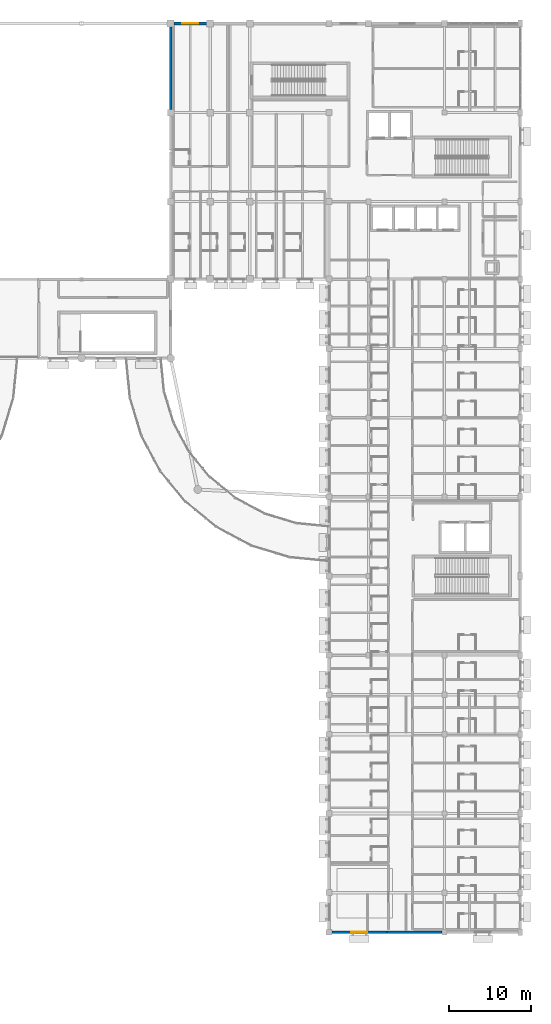
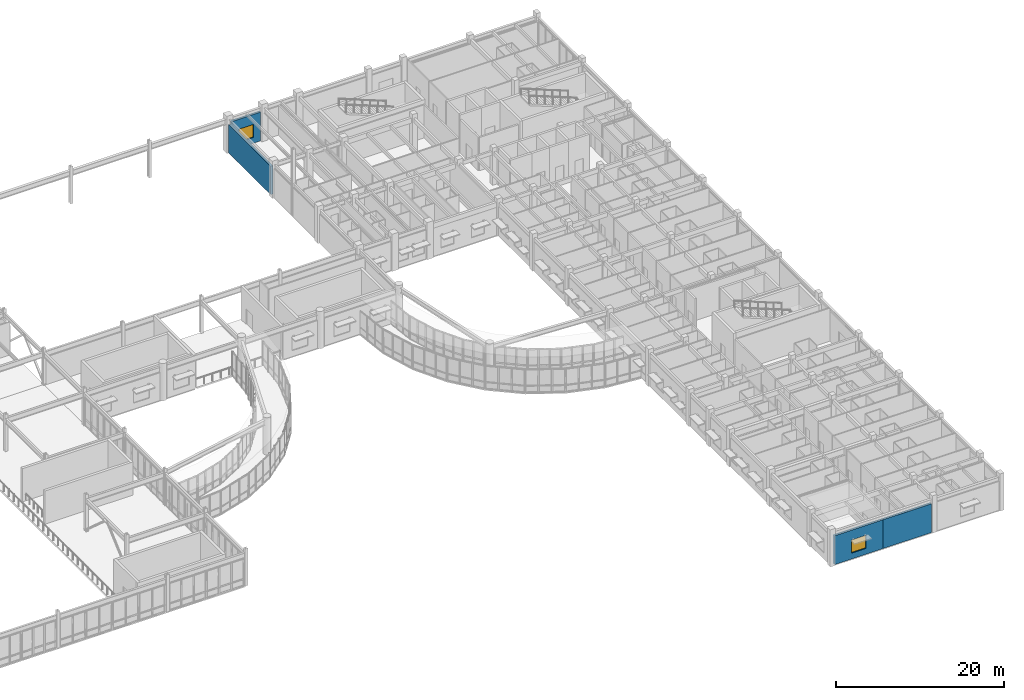
# One storey, part 46 of 68: 4 walls, 2 windows, 2 openings.
"""IFC4 building model written with IfcOpenShell, lengths in metres."""

from ifc_helpers import new_model, si_unit, direction, frame, frame_2d, origin, place, context, subcontext, project, spatial, rectangle, extrude, material, layer, layer_set, type_object, element, fill, save


model = new_model("IFC4")

# Units and contexts
model_context = context("Model", 3, precision=1e-05, world=origin(), true_north=direction((0.0, 1.0)))
body_context = subcontext(model_context, "Body", "Model", "MODEL_VIEW")
ifc_project = project(units=[si_unit("LENGTHUNIT", "METRE"), si_unit("AREAUNIT", "SQUARE_METRE"), si_unit("VOLUMEUNIT", "CUBIC_METRE"), si_unit("PLANEANGLEUNIT", "RADIAN"), si_unit("MASSUNIT", "GRAM", prefix="KILO")], contexts=[model_context])

# Site, building, storey
site_placement = place(None, origin())
site = spatial("IfcSite", under=ifc_project, at=site_placement, CompositionType="ELEMENT")
building_placement = place(site_placement, origin())
building = spatial("IfcBuilding", under=site, at=building_placement, Name="Veldera Park Congress Hotel", CompositionType="ELEMENT")
storey_placement = place(building_placement, frame((0.0, 0.0, 10.800048828125)))
storey = spatial("IfcBuildingStorey", under=building, at=storey_placement, Name="L02", CompositionType="ELEMENT", Elevation=10.800048828125)

# Wall, opening, window
ifc_material_1 = material(Name="Cross-laminated timber CLT V2M1.1", Category="wood")
ifc_layer = layer(ifc_material_1, 0.320068359375)
ifc_layer_set = layer_set([ifc_layer], Name="Cross-laminated timber CLT V2M1.1")
wall_type = type_object("IfcWallType", Name="EW-CLT320", PredefinedType="STANDARD", material=ifc_layer_set)
wall_1_placement = place(storey_placement, frame((61.14794921875, -52.199951171875, 0.0), z_axis=(0.0, 0.0, 1.0), x_axis=(1.0, 0.0, 0.0)))
wall_1 = element("IfcWall", 1, at=wall_1_placement, inside=storey, type_object=wall_type, Name="L02 Exterior Wall EW3-L02-0171", PredefinedType="STANDARD", context=body_context, shape_type="SweptSolid", body=[
    extrude(rectangle(XDim=6.66650390625, YDim=0.320068359375, at=frame_2d((3.333251953125, 0.0))), origin(), (0.0, 0.0, 1.0), 4.182861328125),
])
opening_1_placement = place(wall_1_placement, frame((2.358154296875, 0.0, 0.85009765625)))
opening_1 = element("IfcOpeningElement", 2, at=opening_1_placement, cuts=wall_1, Name="Opening WIN-1950", PredefinedType="OPENING", context=body_context, shape_type="SweptSolid", body=[
    extrude(rectangle(XDim=1.949951171875, YDim=1.89990234375, at=frame_2d((0.97509765625, 0.949951171875))), frame((0.0, 0.172119140625, 0.0), z_axis=(0.0, -1.0, 0.0), x_axis=(1.0, 0.0, 0.0)), (0.0, 0.0, 1.0), 0.343994140625),
])
ifc_material_2 = material(Name="Low-E Triple Insulating Glass Unit (SHGC 0.22)", Category="glass")
window_type = type_object("IfcWindowType", Name="WIN-1950", PartitioningType="DOUBLE_PANEL_VERTICAL", PredefinedType="WINDOW", material=ifc_material_2)
window_1_placement = place(opening_1_placement, origin())
window_1 = element("IfcWindow", 3, at=window_1_placement, inside=storey, type_object=window_type, Name="L02 Window WIN-1950 176", OverallHeight=1.89990234375, OverallWidth=1.949951171875, PartitioningType="DOUBLE_PANEL_VERTICAL", PredefinedType="WINDOW", context=body_context, shape_type="SweptSolid", body=[
    extrude(rectangle(XDim=1.949951171875, YDim=1.89990234375, at=frame_2d((0.97509765625, 0.949951171875))), frame((0.0, 0.030029296875, 0.0), z_axis=(0.0, -1.0, 0.0), x_axis=(1.0, 0.0, 0.0)), (0.0, 0.0, 1.0), 0.06005859375),
])
fill(opening_1, window_1)

# Wall
wall_2_placement = place(storey_placement, frame((67.810546875, -52.199951171875, 0.0), z_axis=(0.0, 0.0, 1.0), x_axis=(1.0, 0.0, 0.0)))
element("IfcWall", 4, at=wall_2_placement, inside=storey, type_object=wall_type, Name="L02 Exterior Wall EW3-L02-0172", PredefinedType="STANDARD", context=body_context, shape_type="SweptSolid", body=[
    extrude(rectangle(XDim=6.66650390625, YDim=0.320068359375, at=frame_2d((3.333251953125, 0.0))), origin(), (0.0, 0.0, 1.0), 4.182861328125),
])

# Wall, opening, window
wall_3_placement = place(storey_placement, frame((45.97705078125, 58.0, 0.0), z_axis=(0.0, 0.0, 1.0), x_axis=(-1.0, 0.0, 0.0)))
wall_3 = element("IfcWall", 5, at=wall_3_placement, inside=storey, type_object=wall_type, Name="L02 Exterior Wall EW3-L02-0190", PredefinedType="STANDARD", context=body_context, shape_type="SweptSolid", body=[
    extrude(rectangle(XDim=3.9541015625, YDim=0.320068359375, at=frame_2d((1.97705078125, 0.0))), origin(), (0.0, 0.0, 1.0), 4.182861328125),
])
opening_2_placement = place(wall_3_placement, frame((1.001953125, 0.0, 0.85009765625)))
opening_2 = element("IfcOpeningElement", 6, at=opening_2_placement, cuts=wall_3, Name="Opening WIN-1950", PredefinedType="OPENING", context=body_context, shape_type="SweptSolid", body=[
    extrude(rectangle(XDim=1.949951171875, YDim=1.89990234375, at=frame_2d((0.97509765625, 0.949951171875))), frame((0.0, 0.172119140625, 0.0), z_axis=(0.0, -1.0, 0.0), x_axis=(1.0, 0.0, 0.0)), (0.0, 0.0, 1.0), 0.343994140625),
])
window_2_placement = place(opening_2_placement, origin())
window_2 = element("IfcWindow", 7, at=window_2_placement, inside=storey, type_object=window_type, Name="L02 Window WIN-1950 183", OverallHeight=1.89990234375, OverallWidth=1.949951171875, PartitioningType="DOUBLE_PANEL_VERTICAL", PredefinedType="WINDOW", context=body_context, shape_type="SweptSolid", body=[
    extrude(rectangle(XDim=1.949951171875, YDim=1.89990234375, at=frame_2d((0.97509765625, 0.949951171875))), frame((0.0, 0.030029296875, 0.0), z_axis=(0.0, -1.0, 0.0), x_axis=(1.0, 0.0, 0.0)), (0.0, 0.0, 1.0), 0.06005859375),
])
fill(opening_2, window_2)

# Wall
wall_4_placement = place(storey_placement, frame((41.60009765625, 57.576904296875, 0.0), z_axis=(0.0, 0.0, 1.0), x_axis=(0.0, -1.0, 0.0)))
element("IfcWall", 8, at=wall_4_placement, inside=storey, type_object=wall_type, Name="L02 Exterior Wall EW3-L02-0191", PredefinedType="STANDARD", context=body_context, shape_type="SweptSolid", body=[
    extrude(rectangle(XDim=9.97900390625, YDim=0.320068359375, at=frame_2d((4.989501953125, 0.0))), origin(), (0.0, 0.0, 1.0), 4.10205078125),
])

save(model, "model.ifc")
